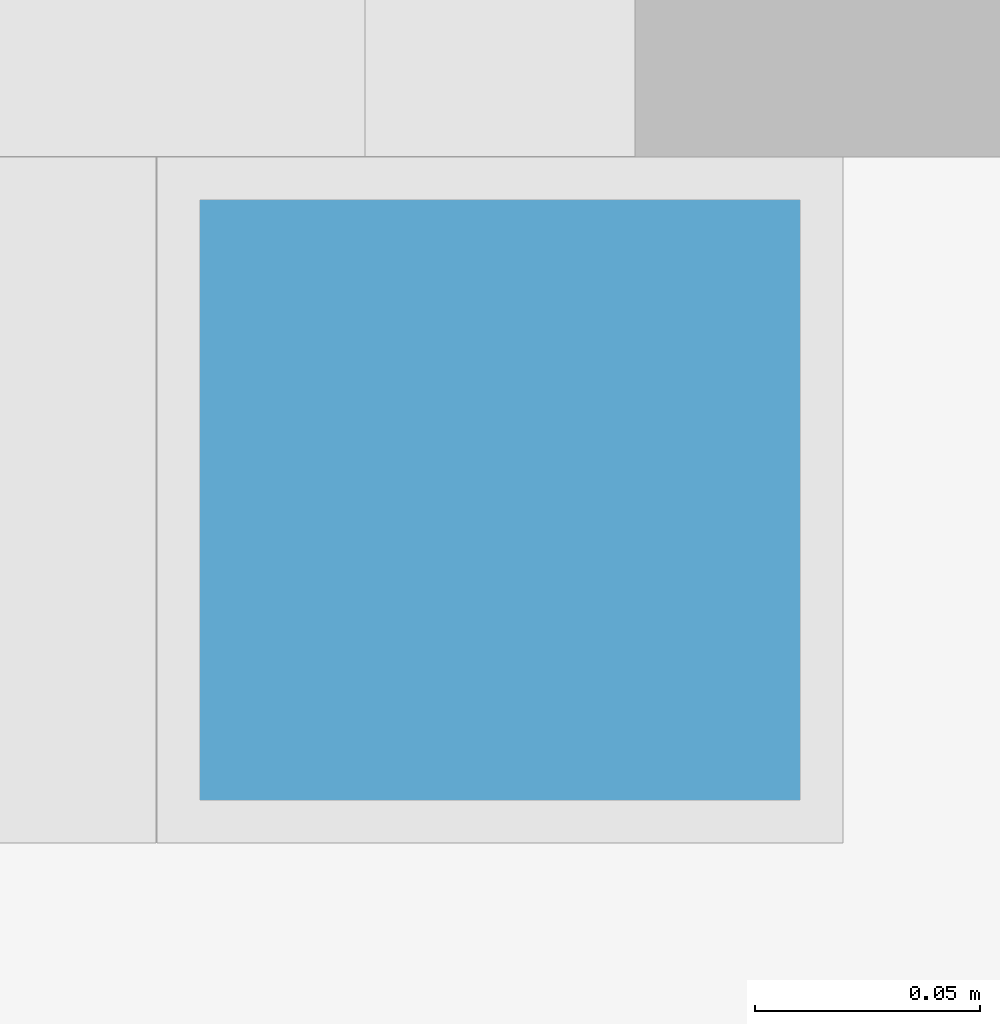
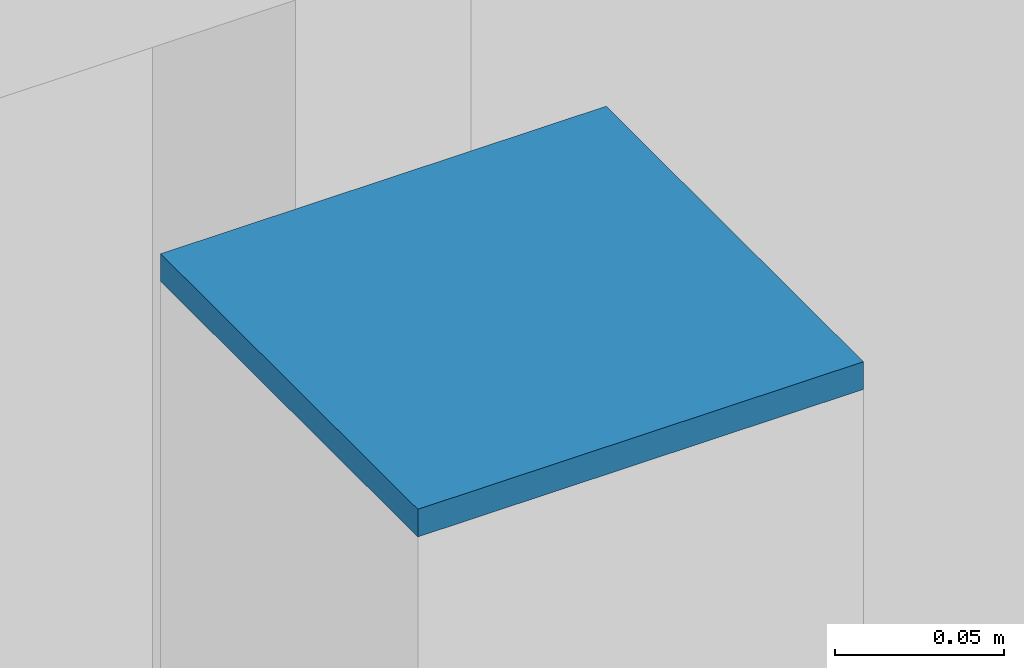
# One storey, part 67 of 93: 1 discrete accessory.
"""IFC4 building model written with IfcOpenShell, lengths in metres."""

from ifc_helpers import new_model, si_unit, direction, frame, origin, origin_2d, place, context, subcontext, project, spatial, rectangle, extrude, material, material_profile, profile_set, type_object, element, save


model = new_model("IFC4")

# Units and contexts
model_context = context("Model", 3, precision=1e-05, world=origin(), true_north=direction((0.0, 1.0)))
body_context = subcontext(model_context, "Body", "Model", "MODEL_VIEW")
ifc_project = project(units=[si_unit("LENGTHUNIT", "METRE"), si_unit("AREAUNIT", "SQUARE_METRE"), si_unit("VOLUMEUNIT", "CUBIC_METRE"), si_unit("PLANEANGLEUNIT", "RADIAN"), si_unit("MASSUNIT", "GRAM", prefix="KILO")], contexts=[model_context])

# Site, building, storey
site_placement = place(None, origin())
site = spatial("IfcSite", under=ifc_project, at=site_placement, CompositionType="ELEMENT")
building_placement = place(site_placement, origin())
building = spatial("IfcBuilding", under=site, at=building_placement, Name="Verrick Yard Athletic Hall", CompositionType="ELEMENT")
storey_placement = place(building_placement, frame((0.0, 0.0, 8.800048828125)))
storey = spatial("IfcBuildingStorey", under=building, at=storey_placement, Name="L02", CompositionType="ELEMENT", Elevation=8.800048828125)

# Discrete accessory
ifc_material = material(Name="Structural steel 350W (CSA G40.21)", Category="steel")
ifc_material_profile = material_profile(ifc_material, rectangle(XDim=0.15234375, YDim=0.15234375, at=origin_2d()), Name="STR End cap plate 152x152x9.5")
ifc_profile_set = profile_set([ifc_material_profile], Name="Structural steel 350W (CSA G40.21)")
discrete_accessory_type = type_object("IfcDiscreteAccessoryType", Name="STR End cap plate 152x152x9.5", PredefinedType="BRACKET", material=ifc_profile_set)
discrete_accessory_placement = place(storey_placement, frame((169.60009765625, 107.50537109375, 5.054443359375), z_axis=(0.0, 0.0, 1.0), x_axis=(1.0, 0.0, 0.0)))
element("IfcDiscreteAccessory", 1, at=discrete_accessory_placement, inside=storey, type_object=discrete_accessory_type, Name="End cap HB-GP-AN-8 B", PredefinedType="BRACKET", context=body_context, shape_type="SweptSolid", body=[
    extrude(rectangle(XDim=0.15234375, YDim=0.15234375, at=origin_2d()), origin(), (0.0, 0.0, 1.0), 0.010009765625),
])

save(model, "model.ifc")
